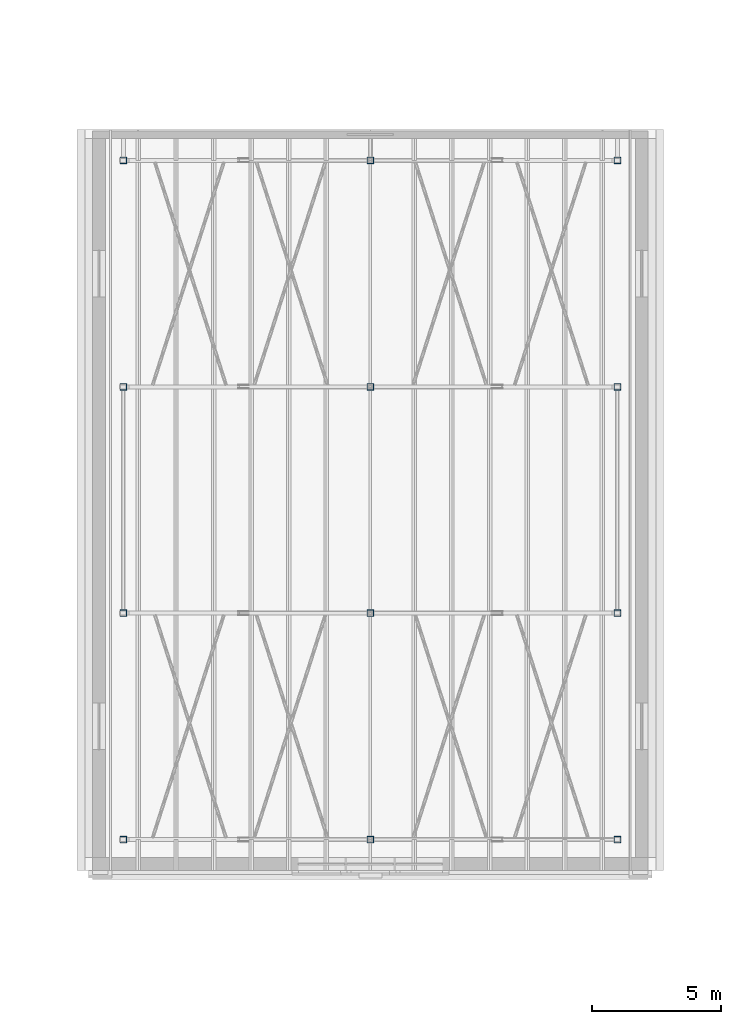
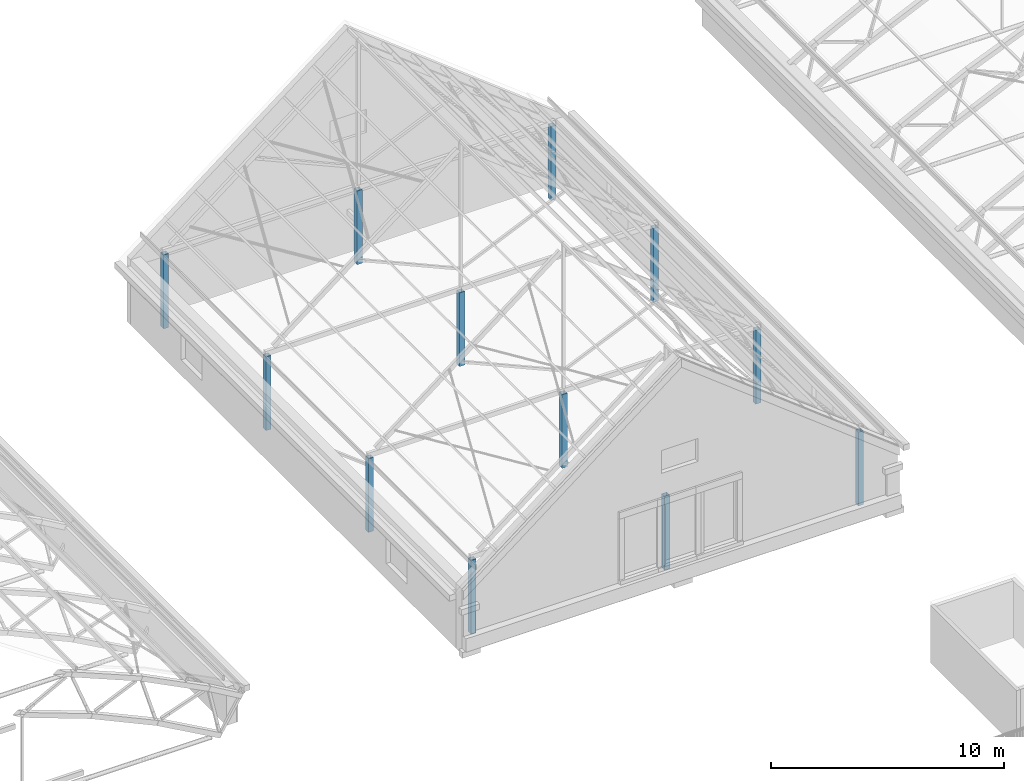
# One storey, part 2 of 127: 12 columns.
"""IFC4 building model written with IfcOpenShell, lengths in metres."""

from ifc_helpers import new_model, si_unit, direction, frame, origin, origin_2d, place, context, subcontext, project, spatial, hollow_rectangle, extrude, material, material_profile, profile_set, type_object, element, save


model = new_model("IFC4")

# Units and contexts
model_context = context("Model", 3, precision=1e-05, world=origin(), true_north=direction((0.0, 1.0)))
body_context = subcontext(model_context, "Body", "Model", "MODEL_VIEW")
ifc_project = project(units=[si_unit("LENGTHUNIT", "METRE"), si_unit("AREAUNIT", "SQUARE_METRE"), si_unit("VOLUMEUNIT", "CUBIC_METRE"), si_unit("PLANEANGLEUNIT", "RADIAN"), si_unit("MASSUNIT", "GRAM", prefix="KILO")], contexts=[model_context])

# Site, building, storey
site_placement = place(None, origin())
site = spatial("IfcSite", under=ifc_project, at=site_placement, CompositionType="ELEMENT")
building_placement = place(site_placement, origin())
building = spatial("IfcBuilding", under=site, at=building_placement, Name="Verrick Yard Athletic Hall", CompositionType="ELEMENT")
storey_placement = place(building_placement, frame((0.0, 0.0, 14.0)))
storey = spatial("IfcBuildingStorey", under=building, at=storey_placement, Name="L03", CompositionType="ELEMENT", Elevation=14.0)

# Columns
ifc_material = material(Name="Structural steel HSS Class C 350W (CSA G40.20/G40.21)", Category="steel")
ifc_material_profile = material_profile(ifc_material, hollow_rectangle(XDim=0.25390625, YDim=0.25390625, WallThickness=0.0126953125, at=origin_2d()), Name="HSS254x254x13")
ifc_profile_set = profile_set([ifc_material_profile], Name="Structural steel HSS Class C 350W (CSA G40.20/G40.21)")
column_type = type_object("IfcColumnType", Name="HB column HSS254x254x13", PredefinedType="COLUMN", material=ifc_profile_set)
for number, where, z_axis, x_axis, name in (
    (1, (89.199951171875, 73.199951171875, 0.0), (0.0, 0.0, 1.0), (1.0, 0.0, 0.0), "HB-C-CH11-L03"),
    (2, (89.199951171875, 82.0, 0.0), (0.0, 0.0, 1.0), (1.0, 0.0, 0.0), "HB-C-CH12-L03"),
    (3, (89.199951171875, 90.800048828125, 0.0), (0.0, 0.0, 1.0), (1.0, 0.0, 0.0), "HB-C-CH13-L03"),
    (4, (89.199951171875, 99.60009765625, 0.0), (0.0, 0.0, 1.0), (1.0, 0.0, 0.0), "HB-C-CH14-L03"),
    (5, (98.800048828125, 73.199951171875, 0.0), (0.0, 0.0, 1.0), (1.0, 0.0, 0.0), "HB-C-CH21-L03"),
    (6, (98.800048828125, 82.0, 0.0), (0.0, 0.0, 1.0), (1.0, 0.0, 0.0), "HB-C-CH22-L03"),
    (7, (98.800048828125, 90.800048828125, 0.0), (0.0, 0.0, 1.0), (1.0, 0.0, 0.0), "HB-C-CH23-L03"),
    (8, (98.800048828125, 99.60009765625, 0.0), (0.0, 0.0, 1.0), (1.0, 0.0, 0.0), "HB-C-CH24-L03"),
    (9, (108.39990234375, 73.199951171875, 0.0), (0.0, 0.0, 1.0), (1.0, 0.0, 0.0), "HB-C-CH31-L03"),
    (10, (108.39990234375, 82.0, 0.0), (0.0, 0.0, 1.0), (1.0, 0.0, 0.0), "HB-C-CH32-L03"),
    (11, (108.39990234375, 90.800048828125, 0.0), (0.0, 0.0, 1.0), (1.0, 0.0, 0.0), "HB-C-CH33-L03"),
    (12, (108.39990234375, 99.60009765625, 0.0), (0.0, 0.0, 1.0), (1.0, 0.0, 0.0), "HB-C-CH34-L03"),
):
    element("IfcColumn", number, at=place(storey_placement, frame(where, z_axis=z_axis, x_axis=x_axis)), inside=storey, type_object=column_type, Name=name, PredefinedType="COLUMN", context=body_context, shape_type="SweptSolid", body=[
        extrude(hollow_rectangle(XDim=0.25390625, YDim=0.25390625, WallThickness=0.0126953125, at=origin_2d()), origin(), (0.0, 0.0, 1.0), 3.8623046875),
    ])

save(model, "model.ifc")
